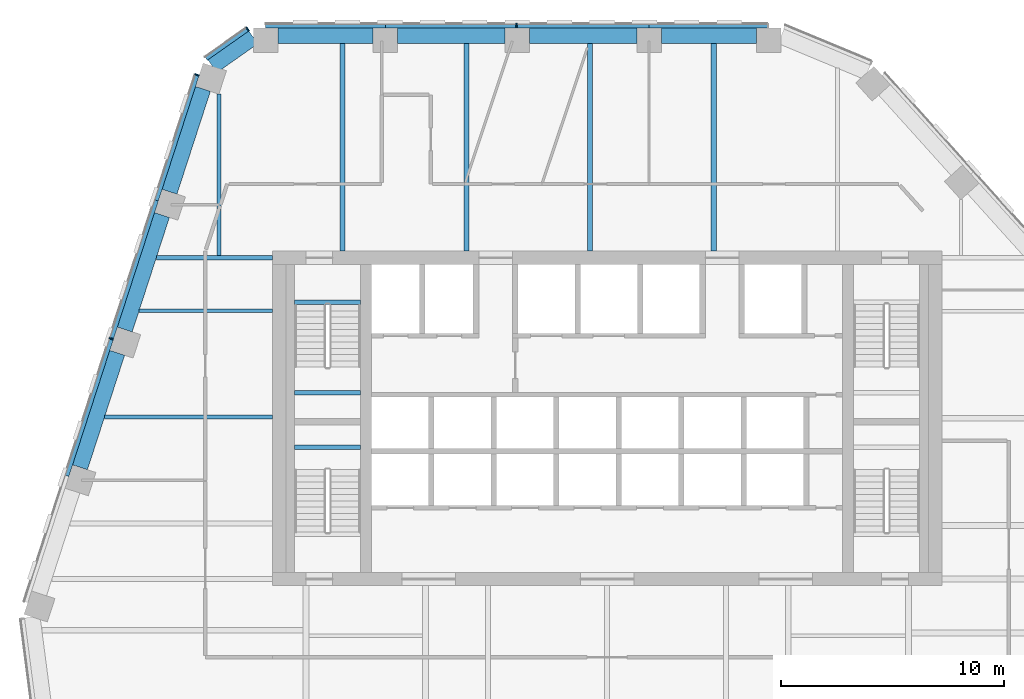
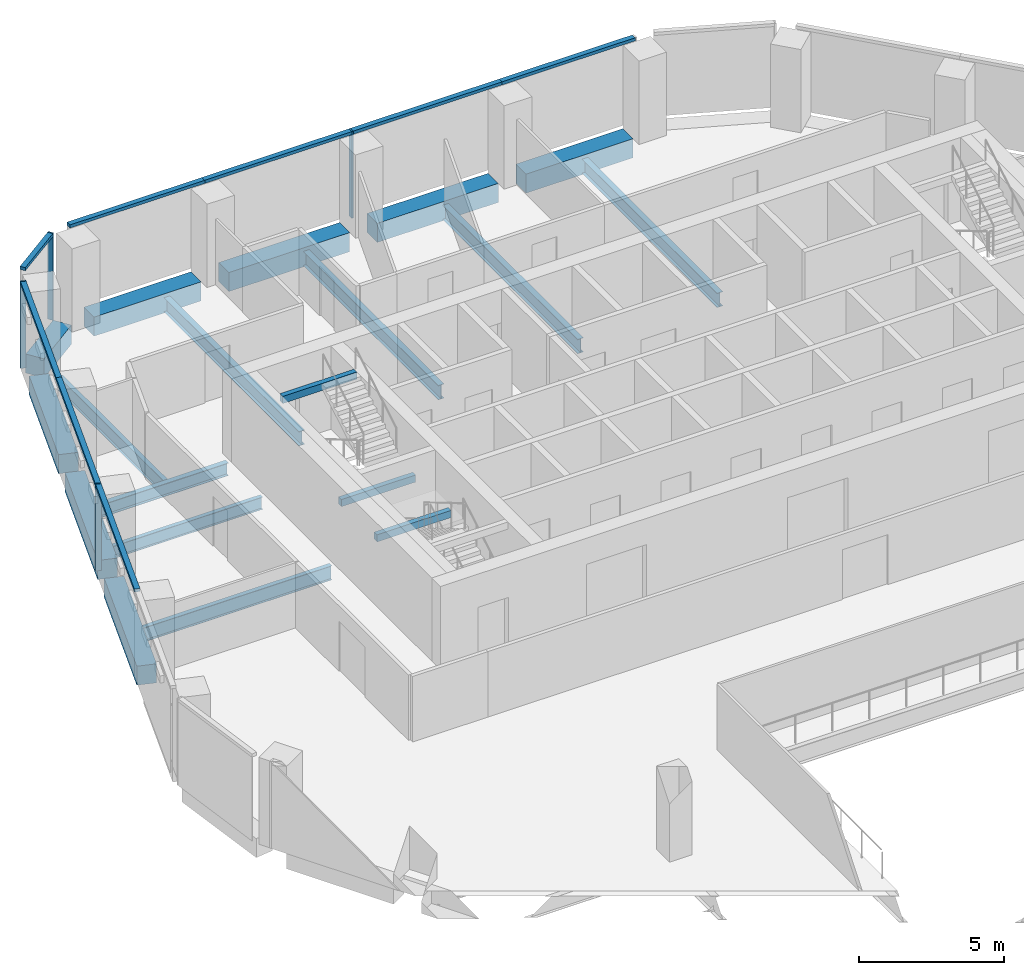
# One storey, part 6 of 16: 19 beams, 12 members, 3 elements without a shape of their own.
"""IFC4 building model written with IfcOpenShell, lengths in metres."""

from ifc_helpers import new_model, si_unit, direction, frame, origin, origin_2d, place, context, subcontext, project, spatial, rectangle, i_section, extrude, material, layer, layer_set, material_profile, profile_set, type_object, element, aggregate, save


model = new_model("IFC4")

# Units and contexts
model_context = context("Model", 3, precision=1e-05, world=origin(), true_north=direction((0.0, 1.0)))
body_context = subcontext(model_context, "Body", "Model", "MODEL_VIEW")
ifc_project = project(units=[si_unit("LENGTHUNIT", "METRE"), si_unit("AREAUNIT", "SQUARE_METRE"), si_unit("VOLUMEUNIT", "CUBIC_METRE"), si_unit("PLANEANGLEUNIT", "RADIAN"), si_unit("MASSUNIT", "GRAM", prefix="KILO")], contexts=[model_context])

# Site, building, storey
site_placement = place(None, origin())
site = spatial("IfcSite", under=ifc_project, at=site_placement, CompositionType="ELEMENT")
building_placement = place(site_placement, origin())
building = spatial("IfcBuilding", under=site, at=building_placement, Name="Isthmus Gate Tower", CompositionType="ELEMENT")
storey_placement = place(building_placement, frame((0.0, 0.0, 216.300048828125)))
storey = spatial("IfcBuildingStorey", under=building, at=storey_placement, Name="L54", CompositionType="ELEMENT", Elevation=216.300048828125)

# Curtain wall, member
ifc_material_1 = material(Name="Aluminium, pale champagne anodised", Category="aluminium")
ifc_layer = layer(ifc_material_1, 0.199951171875)
ifc_layer_set = layer_set([ifc_layer], Name="CW-1 UNITISED CURTAIN WALL 200 DEEP")
curtain_wall_type = type_object("IfcCurtainWallType", Name="CW-1 UNITISED CURTAIN WALL 200 DEEP", PredefinedType="NOTDEFINED", material=ifc_layer_set)
curtain_wall_1_placement = place(storey_placement, origin())
curtain_wall_1 = element("IfcCurtainWall", 1, at=curtain_wall_1_placement, inside=storey, type_object=curtain_wall_type, Name="CW-1 N L54", PredefinedType="NOTDEFINED")
ifc_material_2 = material(Name="Aluminium, pale champagne anodised", Category="aluminium")
ifc_material_profile_1 = material_profile(ifc_material_2, rectangle(XDim=0.06005859375, YDim=0.199951171875, at=origin_2d()), Name="60x200")
ifc_profile_set_1 = profile_set([ifc_material_profile_1], Name="Aluminium, pale champagne anodised")
member_type_1 = type_object("IfcMemberType", Name="CW-1 MULLION 60 X 200", PredefinedType="MULLION", material=ifc_profile_set_1)
member_1_placement = place(storey_placement, frame((-4.06005859375, 25.10009765625, 0.0), z_axis=(0.0, 0.0, 1.0), x_axis=(-1.0, 0.0, 0.0)))
member_1 = element("IfcMember", 2, at=member_1_placement, type_object=member_type_1, Name="CW-1 mullion", PredefinedType="MULLION", context=body_context, shape_type="SweptSolid", body=[
    extrude(rectangle(XDim=0.06005859375, YDim=0.199951171875, at=origin_2d()), origin(), (0.0, 0.0, 1.0), 3.64990234375),
])

curtain_wall_2_placement = place(storey_placement, origin())
curtain_wall_2 = element("IfcCurtainWall", 3, at=curtain_wall_2_placement, inside=storey, type_object=curtain_wall_type, Name="CW-1 N-NW L54", PredefinedType="NOTDEFINED")
member_2_placement = place(storey_placement, frame((-16.10595703125, 24.943115234375, 0.0), z_axis=(0.0, 0.0, 1.0), x_axis=(-0.81785959165, -0.57541783805, 0.0)))
member_2 = element("IfcMember", 4, at=member_2_placement, type_object=member_type_1, Name="CW-1 mullion", PredefinedType="MULLION", context=body_context, shape_type="SweptSolid", body=[
    extrude(rectangle(XDim=0.06005859375, YDim=0.199951171875, at=origin_2d()), origin(), (0.0, 0.0, 1.0), 3.64990234375),
])

# Curtain wall, members
curtain_wall_3_placement = place(storey_placement, origin())
curtain_wall_3 = element("IfcCurtainWall", 5, at=curtain_wall_3_placement, inside=storey, type_object=curtain_wall_type, Name="CW-1 NW L54", PredefinedType="NOTDEFINED")
member_3_placement = place(storey_placement, frame((-18.37841796875, 22.894287109375, 0.0), z_axis=(0.0, 0.0, 1.0), x_axis=(-0.309016994375, -0.951056516295, 0.0)))
member_3 = element("IfcMember", 6, at=member_3_placement, type_object=member_type_1, Name="CW-1 mullion", PredefinedType="MULLION", context=body_context, shape_type="SweptSolid", body=[
    extrude(rectangle(XDim=0.06005859375, YDim=0.199951171875, at=origin_2d()), origin(), (0.0, 0.0, 1.0), 3.64990234375),
])
member_4_placement = place(storey_placement, frame((-22.220703125, 11.069091796875, 0.0), z_axis=(0.0, 0.0, 1.0), x_axis=(-0.309016994375, -0.951056516295, 0.0)))
member_4 = element("IfcMember", 7, at=member_4_placement, type_object=member_type_1, Name="CW-1 mullion", PredefinedType="MULLION", context=body_context, shape_type="SweptSolid", body=[
    extrude(rectangle(XDim=0.06005859375, YDim=0.199951171875, at=origin_2d()), origin(), (0.0, 0.0, 1.0), 3.64990234375),
])

# Member
ifc_material_3 = material(Name="Aluminium, pale champagne anodised", Category="aluminium")
ifc_material_profile_2 = material_profile(ifc_material_3, rectangle(XDim=0.199951171875, YDim=0.1298828125, at=origin_2d()), Name="200x130")
ifc_profile_set_2 = profile_set([ifc_material_profile_2], Name="Aluminium, pale champagne anodised")
member_type_2 = type_object("IfcMemberType", Name="CW-1 TRANSOM 200 X 130", PredefinedType="USERDEFINED", material=ifc_profile_set_2)
member_5_placement = place(storey_placement, frame((7.18115234375, 25.10009765625, 3.5849609375), z_axis=(-1.0, 0.0, 0.0), x_axis=(0.0, -1.0, 0.0)))
member_5 = element("IfcMember", 8, at=member_5_placement, type_object=member_type_2, Name="CW-1 transom", ObjectType="TRANSOM", PredefinedType="USERDEFINED", context=body_context, shape_type="SweptSolid", body=[
    extrude(rectangle(XDim=0.199951171875, YDim=0.1298828125, at=origin_2d()), origin(), (0.0, 0.0, 1.0), 5.300537109375),
])

member_6_placement = place(storey_placement, frame((1.880615234375, 25.10009765625, 3.5849609375), z_axis=(-1.0, 0.0, 0.0), x_axis=(0.0, -1.0, 0.0)))
member_6 = element("IfcMember", 9, at=member_6_placement, type_object=member_type_2, Name="CW-1 transom", ObjectType="TRANSOM", PredefinedType="USERDEFINED", context=body_context, shape_type="SweptSolid", body=[
    extrude(rectangle(XDim=0.199951171875, YDim=0.1298828125, at=origin_2d()), origin(), (0.0, 0.0, 1.0), 5.91064453125),
])

member_7_placement = place(storey_placement, frame((-4.090087890625, 25.10009765625, 3.5849609375), z_axis=(-1.0, 0.0, 0.0), x_axis=(0.0, -1.0, 0.0)))
member_7 = element("IfcMember", 10, at=member_7_placement, type_object=member_type_2, Name="CW-1 transom", ObjectType="TRANSOM", PredefinedType="USERDEFINED", context=body_context, shape_type="SweptSolid", body=[
    extrude(rectangle(XDim=0.199951171875, YDim=0.1298828125, at=origin_2d()), origin(), (0.0, 0.0, 1.0), 5.8505859375),
])

member_8_placement = place(storey_placement, frame((-9.940673828125, 25.10009765625, 3.5849609375), z_axis=(-1.0, 0.0, 0.0), x_axis=(0.0, -1.0, 0.0)))
member_8 = element("IfcMember", 11, at=member_8_placement, type_object=member_type_2, Name="CW-1 transom", ObjectType="TRANSOM", PredefinedType="USERDEFINED", context=body_context, shape_type="SweptSolid", body=[
    extrude(rectangle(XDim=0.199951171875, YDim=0.1298828125, at=origin_2d()), origin(), (0.0, 0.0, 1.0), 5.360595703125),
])

aggregate(curtain_wall_1, [member_5, member_6, member_1, member_7, member_8])

member_9_placement = place(storey_placement, frame((-16.130615234375, 24.92578125, 3.5849609375), z_axis=(-0.817868595604, -0.575405040233, 0.0), x_axis=(0.575405040233, -0.817868595604, 0.0)))
member_9 = element("IfcMember", 12, at=member_9_placement, type_object=member_type_2, Name="CW-1 transom", ObjectType="TRANSOM", PredefinedType="USERDEFINED", context=body_context, shape_type="SweptSolid", body=[
    extrude(rectangle(XDim=0.199951171875, YDim=0.1298828125, at=origin_2d()), origin(), (0.0, 0.0, 1.0), 2.258544921875),
])

aggregate(curtain_wall_2, [member_2, member_9])

member_10_placement = place(storey_placement, frame((-18.3876953125, 22.86572265625, 3.5849609375), z_axis=(-0.309021311898, -0.951055113436, 0.0), x_axis=(0.951055113436, -0.309021311898, 0.0)))
member_10 = element("IfcMember", 13, at=member_10_placement, type_object=member_type_2, Name="CW-1 transom", ObjectType="TRANSOM", PredefinedType="USERDEFINED", context=body_context, shape_type="SweptSolid", body=[
    extrude(rectangle(XDim=0.199951171875, YDim=0.1298828125, at=origin_2d()), origin(), (0.0, 0.0, 1.0), 5.8818359375),
])

member_11_placement = place(storey_placement, frame((-20.205322265625, 17.271728515625, 3.5849609375), z_axis=(-0.309020593362, -0.951055346906, 0.0), x_axis=(0.951055346906, -0.309020593362, 0.0)))
member_11 = element("IfcMember", 14, at=member_11_placement, type_object=member_type_2, Name="CW-1 transom", ObjectType="TRANSOM", PredefinedType="USERDEFINED", context=body_context, shape_type="SweptSolid", body=[
    extrude(rectangle(XDim=0.199951171875, YDim=0.1298828125, at=origin_2d()), origin(), (0.0, 0.0, 1.0), 6.49169921875),
])

member_12_placement = place(storey_placement, frame((-22.22998046875, 11.04052734375, 3.5849609375), z_axis=(-0.309010542947, -0.951058612467, 0.0), x_axis=(0.951058612467, -0.309010542947, 0.0)))
member_12 = element("IfcMember", 15, at=member_12_placement, type_object=member_type_2, Name="CW-1 transom", ObjectType="TRANSOM", PredefinedType="USERDEFINED", context=body_context, shape_type="SweptSolid", body=[
    extrude(rectangle(XDim=0.199951171875, YDim=0.1298828125, at=origin_2d()), origin(), (0.0, 0.0, 1.0), 6.431884765625),
])

aggregate(curtain_wall_3, [member_3, member_10, member_11, member_4, member_12])

# Beams
ifc_material_4 = material(Name="Concrete f'c 50 MPa", Category="concrete")
ifc_material_profile_3 = material_profile(ifc_material_4, rectangle(XDim=0.699951171875, YDim=0.800048828125, at=origin_2d()), Name="RC 700X800")
ifc_profile_set_3 = profile_set([ifc_material_profile_3], Name="Concrete f'c 50 MPa")
beam_type_1 = type_object("IfcBeamType", Name="RC SPANDREL 700 X 800", PredefinedType="SPANDREL", material=ifc_profile_set_3)
for number, where, z_axis, x_axis, name in (
    (16, (-23.61962890625, 5.307373046875, -0.400146484375), (0.309032831924, 0.951051370218, 0.0), (-0.951051370218, 0.309032831924, 0.0), "str-spandrel-L54-22"),
    (17, (-21.613525390625, 11.481689453125, -0.400146484375), (0.309032831924, 0.951051370218, 0.0), (-0.951051370218, 0.309032831924, 0.0), "str-spandrel-L54-23"),
):
    element("IfcBeam", number, at=place(storey_placement, frame(where, z_axis=z_axis, x_axis=x_axis)), inside=storey, type_object=beam_type_1, Name=name, PredefinedType="SPANDREL", context=body_context, shape_type="SweptSolid", body=[
        extrude(rectangle(XDim=0.699951171875, YDim=0.800048828125, at=origin_2d()), origin(), (0.0, 0.0, 1.0), 5.391845703125),
    ])
beam_1_placement = place(storey_placement, frame((-19.607421875, 17.65576171875, -0.400146484375), z_axis=(0.309033626624, 0.951051111989, 0.0), x_axis=(-0.951051111989, 0.309033626624, 0.0)))
element("IfcBeam", 18, at=beam_1_placement, inside=storey, type_object=beam_type_1, Name="str-spandrel-L54-24", PredefinedType="SPANDREL", context=body_context, shape_type="SweptSolid", body=[
    extrude(rectangle(XDim=0.699951171875, YDim=0.800048828125, at=origin_2d()), origin(), (0.0, 0.0, 1.0), 4.842041015625),
])
beam_2_placement = place(storey_placement, frame((-17.68798828125, 23.27978515625, -0.400146484375), z_axis=(0.817855686701, 0.575423388237, 0.0), x_axis=(-0.575423388237, 0.817855686701, 0.0)))
element("IfcBeam", 19, at=beam_2_placement, inside=storey, type_object=beam_type_1, Name="str-spandrel-L54-25", PredefinedType="SPANDREL", context=body_context, shape_type="SweptSolid", body=[
    extrude(rectangle(XDim=0.699951171875, YDim=0.800048828125, at=origin_2d()), origin(), (0.0, 0.0, 1.0), 2.24560546875),
])
beam_3_placement = place(storey_placement, frame((-14.751220703125, 24.64990234375, -0.400146484375), z_axis=(1.0, 0.0, 0.0), x_axis=(0.0, 1.0, 0.0)))
element("IfcBeam", 20, at=beam_3_placement, inside=storey, type_object=beam_type_1, Name="str-spandrel-L54-26", PredefinedType="SPANDREL", context=body_context, shape_type="SweptSolid", body=[
    extrude(rectangle(XDim=0.699951171875, YDim=0.800048828125, at=origin_2d()), origin(), (0.0, 0.0, 1.0), 4.260498046875),
])
for number, where, z_axis, x_axis, name in (
    (21, (-9.390625, 24.64990234375, -0.400146484375), (1.0, 0.0, 0.0), (0.0, 1.0, 0.0), "str-spandrel-L54-27"),
    (22, (-3.47998046875, 24.64990234375, -0.400146484375), (1.0, 0.0, 0.0), (0.0, 1.0, 0.0), "str-spandrel-L54-28"),
):
    element("IfcBeam", number, at=place(storey_placement, frame(where, z_axis=z_axis, x_axis=x_axis)), inside=storey, type_object=beam_type_1, Name=name, PredefinedType="SPANDREL", context=body_context, shape_type="SweptSolid", body=[
        extrude(rectangle(XDim=0.699951171875, YDim=0.800048828125, at=origin_2d()), origin(), (0.0, 0.0, 1.0), 4.810546875),
    ])
beam_4_placement = place(storey_placement, frame((2.430419921875, 24.64990234375, -0.400146484375), z_axis=(1.0, 0.0, 0.0), x_axis=(0.0, 1.0, 0.0)))
element("IfcBeam", 23, at=beam_4_placement, inside=storey, type_object=beam_type_1, Name="str-spandrel-L54-29", PredefinedType="SPANDREL", context=body_context, shape_type="SweptSolid", body=[
    extrude(rectangle(XDim=0.699951171875, YDim=0.800048828125, at=origin_2d()), origin(), (0.0, 0.0, 1.0), 4.2607421875),
])
ifc_material_5 = material(Name="Concrete f'c 40 MPa", Category="concrete")
ifc_material_profile_4 = material_profile(ifc_material_5, rectangle(XDim=0.199951171875, YDim=0.300048828125, at=origin_2d()), Name="STAIR LANDING BEAM RC 200 X 300")
ifc_profile_set_4 = profile_set([ifc_material_profile_4], Name="Concrete f'c 40 MPa")
beam_type_2 = type_object("IfcBeamType", Name="STAIR LANDING BEAM RC 200 X 300", PredefinedType="BEAM", material=ifc_profile_set_4)
for number, where, z_axis, x_axis, name in (
    (24, (-14.0, 8.64990234375, 1.474853515625), (1.0, 0.0, 0.0), (0.0, 1.0, 0.0), "L54 ST1 landing beam 1"),
    (25, (-14.0, 12.7001953125, 3.349853515625), (1.0, 0.0, 0.0), (0.0, 1.0, 0.0), "L54 ST1 floor-edge seat beam"),
    (26, (-14.0, 6.199951171875, 1.474853515625), (1.0, 0.0, 0.0), (0.0, 1.0, 0.0), "L54 ST7 landing beam 1"),
):
    element("IfcBeam", number, at=place(storey_placement, frame(where, z_axis=z_axis, x_axis=x_axis)), inside=storey, type_object=beam_type_2, Name=name, PredefinedType="BEAM", context=body_context, shape_type="SweptSolid", body=[
        extrude(rectangle(XDim=0.199951171875, YDim=0.300048828125, at=origin_2d()), origin(), (0.0, 0.0, 1.0), 2.949951171875),
    ])
ifc_material_6 = material(Name="Structural steel ASTM A992 Gr 50", Category="steel")
ifc_material_profile_5 = material_profile(ifc_material_6, i_section(OverallWidth=0.1650390625, OverallDepth=0.52392578125, WebThickness=0.009521484375, FlangeThickness=0.010986328125, at=origin_2d()), Name="W21X44")
ifc_profile_set_5 = profile_set([ifc_material_profile_5], Name="Structural steel ASTM A992 Gr 50")
beam_type_3 = type_object("IfcBeamType", Name="STEEL FLOOR BEAM W21X44", PredefinedType="JOIST", material=ifc_profile_set_5)
beam_5_placement = place(storey_placement, frame((-20.973388671875, 12.319091796875, -0.412109375), z_axis=(1.0, 0.0, 0.0), x_axis=(0.0, 1.0, 0.0)))
element("IfcBeam", 27, at=beam_5_placement, inside=storey, type_object=beam_type_3, Name="str-beam-L54-00-02", PredefinedType="JOIST", context=body_context, shape_type="SweptSolid", body=[
    extrude(i_section(OverallWidth=0.1650390625, OverallDepth=0.52392578125, WebThickness=0.009521484375, FlangeThickness=0.010986328125, at=origin_2d()), origin(), (0.0, 0.0, 1.0), 5.973388671875),
])
ifc_material_7 = material(Name="Structural steel ASTM A992 Gr 50", Category="steel")
ifc_material_profile_6 = material_profile(ifc_material_7, i_section(OverallWidth=0.177734375, OverallDepth=0.60009765625, WebThickness=0.009521484375, FlangeThickness=0.0126953125, at=origin_2d()), Name="W24X55")
ifc_profile_set_6 = profile_set([ifc_material_profile_6], Name="Structural steel ASTM A992 Gr 50")
beam_type_4 = type_object("IfcBeamType", Name="STEEL FLOOR BEAM W24X55", PredefinedType="JOIST", material=ifc_profile_set_6)
beam_6_placement = place(storey_placement, frame((-22.520751953125, 7.55712890625, -0.4501953125), z_axis=(1.0, 0.0, 0.0), x_axis=(0.0, 1.0, 0.0)))
element("IfcBeam", 28, at=beam_6_placement, inside=storey, type_object=beam_type_4, Name="str-beam-L54-00-01", PredefinedType="JOIST", context=body_context, shape_type="SweptSolid", body=[
    extrude(i_section(OverallWidth=0.177734375, OverallDepth=0.60009765625, WebThickness=0.009521484375, FlangeThickness=0.0126953125, at=origin_2d()), origin(), (0.0, 0.0, 1.0), 7.520751953125),
])
beam_7_placement = place(storey_placement, frame((-17.394287109375, 14.8046875, -0.4501953125), z_axis=(0.0, 1.0, 0.0), x_axis=(-1.0, 0.0, 0.0)))
element("IfcBeam", 29, at=beam_7_placement, inside=storey, type_object=beam_type_4, Name="str-beam-L54-05-00", PredefinedType="JOIST", context=body_context, shape_type="SweptSolid", body=[
    extrude(i_section(OverallWidth=0.177734375, OverallDepth=0.60009765625, WebThickness=0.009521484375, FlangeThickness=0.0126953125, at=origin_2d()), origin(), (0.0, 0.0, 1.0), 7.235107421875),
])
ifc_material_8 = material(Name="Structural steel ASTM A992 Gr 50", Category="steel")
ifc_material_profile_7 = material_profile(ifc_material_8, i_section(OverallWidth=0.228515625, OverallDepth=0.603271484375, WebThickness=0.010986328125, FlangeThickness=0.014404296875, at=origin_2d()), Name="W24X68")
ifc_profile_set_7 = profile_set([ifc_material_profile_7], Name="Structural steel ASTM A992 Gr 50")
beam_type_5 = type_object("IfcBeamType", Name="STEEL FLOOR BEAM W24X68", PredefinedType="JOIST", material=ifc_profile_set_7)
for number, where, z_axis, x_axis, name in (
    (30, (-11.8515625, 15.0, -0.45166015625), (0.0, 1.0, 0.0), (-1.0, 0.0, 0.0), "str-beam-L54-05-01"),
    (31, (-6.308837890625, 15.0, -0.45166015625), (0.0, 1.0, 0.0), (-1.0, 0.0, 0.0), "str-beam-L54-05-02"),
    (32, (-0.76611328125, 15.0, -0.45166015625), (0.0, 1.0, 0.0), (-1.0, 0.0, 0.0), "str-beam-L54-05-03"),
    (33, (4.776611328125, 15.0, -0.45166015625), (0.0, 1.0, 0.0), (-1.0, 0.0, 0.0), "str-beam-L54-05-04"),
):
    element("IfcBeam", number, at=place(storey_placement, frame(where, z_axis=z_axis, x_axis=x_axis)), inside=storey, type_object=beam_type_5, Name=name, PredefinedType="JOIST", context=body_context, shape_type="SweptSolid", body=[
        extrude(i_section(OverallWidth=0.228515625, OverallDepth=0.603271484375, WebThickness=0.010986328125, FlangeThickness=0.014404296875, at=origin_2d()), origin(), (0.0, 0.0, 1.0), 9.300048828125),
    ])
ifc_material_9 = material(Name="Structural steel ASTM A992 Gr 50", Category="steel")
ifc_material_profile_8 = material_profile(ifc_material_9, i_section(OverallWidth=0.20947265625, OverallDepth=0.533447265625, WebThickness=0.009521484375, FlangeThickness=0.015869140625, at=origin_2d()), Name="W21X62")
ifc_profile_set_8 = profile_set([ifc_material_profile_8], Name="Structural steel ASTM A992 Gr 50")
beam_type_6 = type_object("IfcBeamType", Name="STEEL GIRDER W21X62", PredefinedType="BEAM", material=ifc_profile_set_8)
beam_8_placement = place(storey_placement, frame((-15.0, 14.699951171875, -0.416748046875), z_axis=(-1.0, 0.0, 0.0), x_axis=(0.0, -1.0, 0.0)))
element("IfcBeam", 34, at=beam_8_placement, inside=storey, type_object=beam_type_6, Name="str-girder-L54-11", PredefinedType="BEAM", context=body_context, shape_type="SweptSolid", body=[
    extrude(i_section(OverallWidth=0.20947265625, OverallDepth=0.533447265625, WebThickness=0.009521484375, FlangeThickness=0.015869140625, at=origin_2d()), origin(), (0.0, 0.0, 1.0), 5.19970703125),
])

save(model, "model.ifc")
